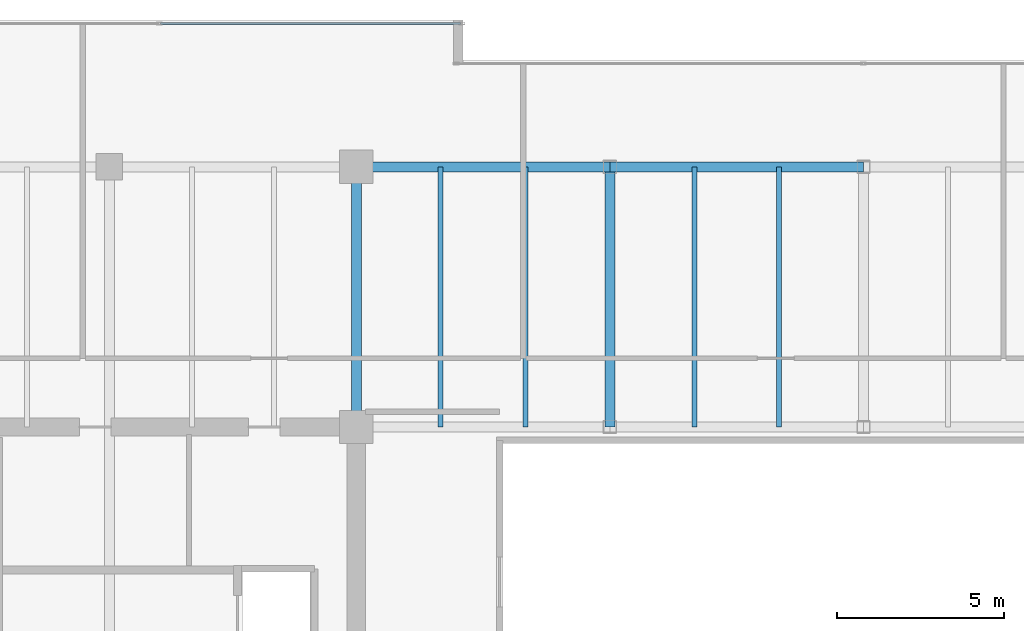
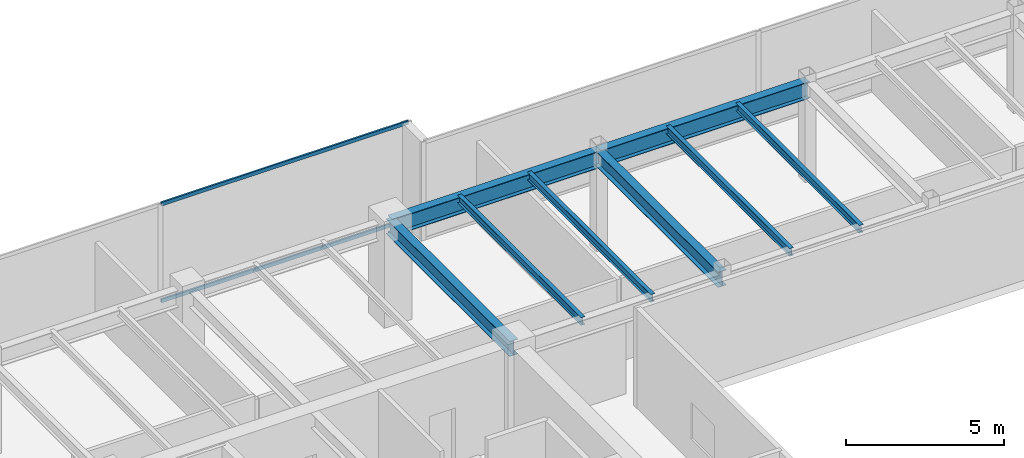
# One storey, part 16 of 33: 8 beams, 2 members, 1 element without a shape of its own.
"""IFC4 building model written with IfcOpenShell, lengths in metres."""

from ifc_helpers import new_model, si_unit, direction, frame, origin, origin_2d, place, context, subcontext, project, spatial, hollow_rectangle, i_section, extrude, source, transform, mapped, material, layer, layer_set, material_profile, profile_set, type_object, type_shapes, element, aggregate, save


model = new_model("IFC4")

# Units and contexts
model_context = context("Model", 3, precision=1e-05, world=origin(), true_north=direction((0.0, 1.0)))
body_context = subcontext(model_context, "Body", "Model", "MODEL_VIEW")
ifc_project = project(units=[si_unit("LENGTHUNIT", "METRE"), si_unit("AREAUNIT", "SQUARE_METRE"), si_unit("VOLUMEUNIT", "CUBIC_METRE"), si_unit("PLANEANGLEUNIT", "RADIAN"), si_unit("MASSUNIT", "GRAM", prefix="KILO")], contexts=[model_context])

# Site, building, storey
site_placement = place(None, origin())
site = spatial("IfcSite", under=ifc_project, at=site_placement, CompositionType="ELEMENT")
building_placement = place(site_placement, origin())
building = spatial("IfcBuilding", under=site, at=building_placement, Name="Haelvirn Gate Laboratories", CompositionType="ELEMENT")
storey_placement = place(building_placement, frame((0.0, 0.0, 217.800048828125)))
storey = spatial("IfcBuildingStorey", under=building, at=storey_placement, Name="L52", CompositionType="ELEMENT", Elevation=217.800048828125)

# Beams
ifc_material_1 = material(Name="Steel SM355", Category="steel")
ifc_material_profile_1 = material_profile(ifc_material_1, i_section(OverallWidth=0.14990234375, OverallDepth=0.300048828125, WebThickness=0.006591796875, FlangeThickness=0.009033203125, at=origin_2d()), Name="H-300x150x6.5x9")
ifc_profile_set_1 = profile_set([ifc_material_profile_1], Name="Steel SM355")
beam_type_1 = type_object("IfcBeamType", Name="BM-J-300", PredefinedType="JOIST", material=ifc_profile_set_1)
shared_shape_1 = source(origin(), body_context, "Body", "SweptSolid", [
    extrude(i_section(OverallWidth=0.14990234375, OverallDepth=0.300048828125, WebThickness=0.006591796875, FlangeThickness=0.009033203125, at=origin_2d()), origin(), (0.0, 0.0, 1.0), 7.800048828125),
])
type_shapes(beam_type_1, [shared_shape_1])
for number, where, z_axis, x_axis, name in (
    (1, (24.72998046875, 33.800048828125, 3.64990234375), (0.0, 1.0, 0.0), (-1.0, 0.0, 0.0), "L52 Composite Lab Joist North X24.73"),
    (2, (27.27001953125, 33.800048828125, 3.64990234375), (0.0, 1.0, 0.0), (-1.0, 0.0, 0.0), "L52 Composite Lab Joist North X27.27"),
    (3, (32.330078125, 33.800048828125, 3.64990234375), (0.0, 1.0, 0.0), (-1.0, 0.0, 0.0), "L52 Composite Lab Joist North X32.33"),
    (4, (34.8701171875, 33.800048828125, 3.64990234375), (0.0, 1.0, 0.0), (-1.0, 0.0, 0.0), "L52 Composite Lab Joist North X34.87"),
):
    element("IfcBeam", number, at=place(storey_placement, frame(where, z_axis=z_axis, x_axis=x_axis)), inside=storey, type_object=beam_type_1, Name=name, PredefinedType="JOIST", context=body_context, shape_type="MappedRepresentation", body=[
        mapped(shared_shape_1, transform((0.0, 0.0, 0.0), scale=1.0)),
    ])
ifc_material_profile_2 = material_profile(ifc_material_1, i_section(OverallWidth=0.300048828125, OverallDepth=0.587890625, WebThickness=0.011962890625, FlangeThickness=0.02001953125, at=origin_2d()), Name="H-588x300x12x20")
ifc_profile_set_2 = profile_set([ifc_material_profile_2], Name="Steel SM355")
beam_type_2 = type_object("IfcBeamType", Name="BM-G-588", PredefinedType="BEAM", material=ifc_profile_set_2)
shared_shape_2 = source(origin(), body_context, "Body", "SweptSolid", [
    extrude(i_section(OverallWidth=0.300048828125, OverallDepth=0.587890625, WebThickness=0.011962890625, FlangeThickness=0.02001953125, at=origin_2d()), origin(), (0.0, 0.0, 1.0), 7.800048828125),
])
type_shapes(beam_type_2, [shared_shape_2])
for number, where, z_axis, x_axis, name in (
    (5, (22.199951171875, 33.800048828125, 3.505859375), (0.0, 1.0, 0.0), (-1.0, 0.0, 0.0), "L52 Frame Girder X22.2 (33.8-41.6)"),
    (6, (29.800048828125, 33.800048828125, 3.505859375), (0.0, 1.0, 0.0), (-1.0, 0.0, 0.0), "L52 Frame Girder X29.8 (33.8-41.6)"),
):
    element("IfcBeam", number, at=place(storey_placement, frame(where, z_axis=z_axis, x_axis=x_axis)), inside=storey, type_object=beam_type_2, Name=name, PredefinedType="BEAM", context=body_context, shape_type="MappedRepresentation", body=[
        mapped(shared_shape_2, transform((0.0, 0.0, 0.0), scale=1.0)),
    ])
ifc_material_profile_3 = material_profile(ifc_material_1, i_section(OverallWidth=0.300048828125, OverallDepth=0.64990234375, WebThickness=0.012939453125, FlangeThickness=0.02197265625, at=origin_2d()), Name="H-650x300x13x22")
ifc_profile_set_3 = profile_set([ifc_material_profile_3], Name="Steel SM355")
beam_type_3 = type_object("IfcBeamType", Name="BM-G-650", PredefinedType="BEAM", material=ifc_profile_set_3)
shared_shape_3 = source(origin(), body_context, "Body", "SweptSolid", [
    extrude(i_section(OverallWidth=0.300048828125, OverallDepth=0.64990234375, WebThickness=0.012939453125, FlangeThickness=0.02197265625, at=origin_2d()), origin(), (0.0, 0.0, 1.0), 7.60009765625),
])
beam_1_placement = place(storey_placement, frame((22.199951171875, 41.60009765625, 3.474853515625), z_axis=(1.0, 0.0, 0.0), x_axis=(0.0, 1.0, 0.0)))
element("IfcBeam", 7, at=beam_1_placement, inside=storey, type_object=beam_type_3, Name="L52 Primary Girder Y41.6 (22.2-29.8)", PredefinedType="BEAM", context=body_context, shape_type="MappedRepresentation", body=[
    mapped(shared_shape_3, transform((0.0, 0.0, 0.0), scale=1.0)),
])
shared_shape_4 = source(origin(), body_context, "Body", "SweptSolid", [
    extrude(i_section(OverallWidth=0.300048828125, OverallDepth=0.64990234375, WebThickness=0.012939453125, FlangeThickness=0.02197265625, at=origin_2d()), origin(), (0.0, 0.0, 1.0), 7.599853515625),
])
type_shapes(beam_type_3, [shared_shape_3, shared_shape_4])
beam_2_placement = place(storey_placement, frame((29.800048828125, 41.60009765625, 3.474853515625), z_axis=(1.0, 0.0, 0.0), x_axis=(0.0, 1.0, 0.0)))
element("IfcBeam", 8, at=beam_2_placement, inside=storey, type_object=beam_type_3, Name="L52 Primary Girder Y41.6 (29.8-37.4)", PredefinedType="BEAM", context=body_context, shape_type="MappedRepresentation", body=[
    mapped(shared_shape_4, transform((0.0, 0.0, 0.0), scale=1.0)),
])

# Curtain wall, members
ifc_material_2 = material(Name="Anodised bronze unitised aluminium & triple low-E glass", Category="aluminium")
ifc_layer = layer(ifc_material_2, 0.176025390625, Name="CW-SYS-4")
ifc_layer_set = layer_set([ifc_layer], Name="Anodised bronze unitised aluminium & triple low-E glass")
curtain_wall_type = type_object("IfcCurtainWallType", Name="CW-SYS-4", PredefinedType="NOTDEFINED", material=ifc_layer_set)
curtain_wall_placement = place(storey_placement, origin())
curtain_wall = element("IfcCurtainWall", 9, at=curtain_wall_placement, inside=storey, type_object=curtain_wall_type, Name="L52 Unitised Curtain Wall CW-L52-P0-E14-1", PredefinedType="NOTDEFINED")
ifc_material_3 = material(Name="Extruded aluminium 6063-T6 (anodised bronze)", Category="aluminium")
ifc_material_profile_4 = material_profile(ifc_material_3, hollow_rectangle(XDim=0.06494140625, YDim=0.139892578125, WallThickness=0.00390625, at=origin_2d()), Name="CWT-140x65x4")
ifc_profile_set_4 = profile_set([ifc_material_profile_4], Name="Extruded aluminium 6063-T6 (anodised bronze)")
member_type = type_object("IfcMemberType", Name="CWT-T140", PredefinedType="USERDEFINED", material=ifc_profile_set_4)
shared_shape_5 = source(origin(), body_context, "Body", "SweptSolid", [
    extrude(hollow_rectangle(XDim=0.06494140625, YDim=0.139892578125, WallThickness=0.00390625, at=origin_2d()), origin(), (0.0, 0.0, 1.0), 8.9951171875),
])
type_shapes(member_type, [shared_shape_5])
member_1_placement = place(storey_placement, frame((16.3349609375, 45.89990234375, 0.032470703125), z_axis=(1.0, 0.0, 0.0), x_axis=(0.0, 1.0, 0.0)))
member_1 = element("IfcMember", 10, at=member_1_placement, type_object=member_type, Name="CW4 transom 2.1", ObjectType="TRANSOM", PredefinedType="USERDEFINED", context=body_context, shape_type="MappedRepresentation", body=[
    mapped(shared_shape_5, transform((0.0, 0.0, 0.0), scale=1.0)),
])
member_2_placement = place(storey_placement, frame((16.3349609375, 45.89990234375, 3.767333984375), z_axis=(1.0, 0.0, 0.0), x_axis=(0.0, 1.0, 0.0)))
member_2 = element("IfcMember", 11, at=member_2_placement, type_object=member_type, Name="CW4 transom 2.2", ObjectType="TRANSOM", PredefinedType="USERDEFINED", context=body_context, shape_type="MappedRepresentation", body=[
    mapped(shared_shape_5, transform((0.0, 0.0, 0.0), scale=1.0)),
])
aggregate(curtain_wall, [member_1, member_2])

save(model, "model.ifc")
